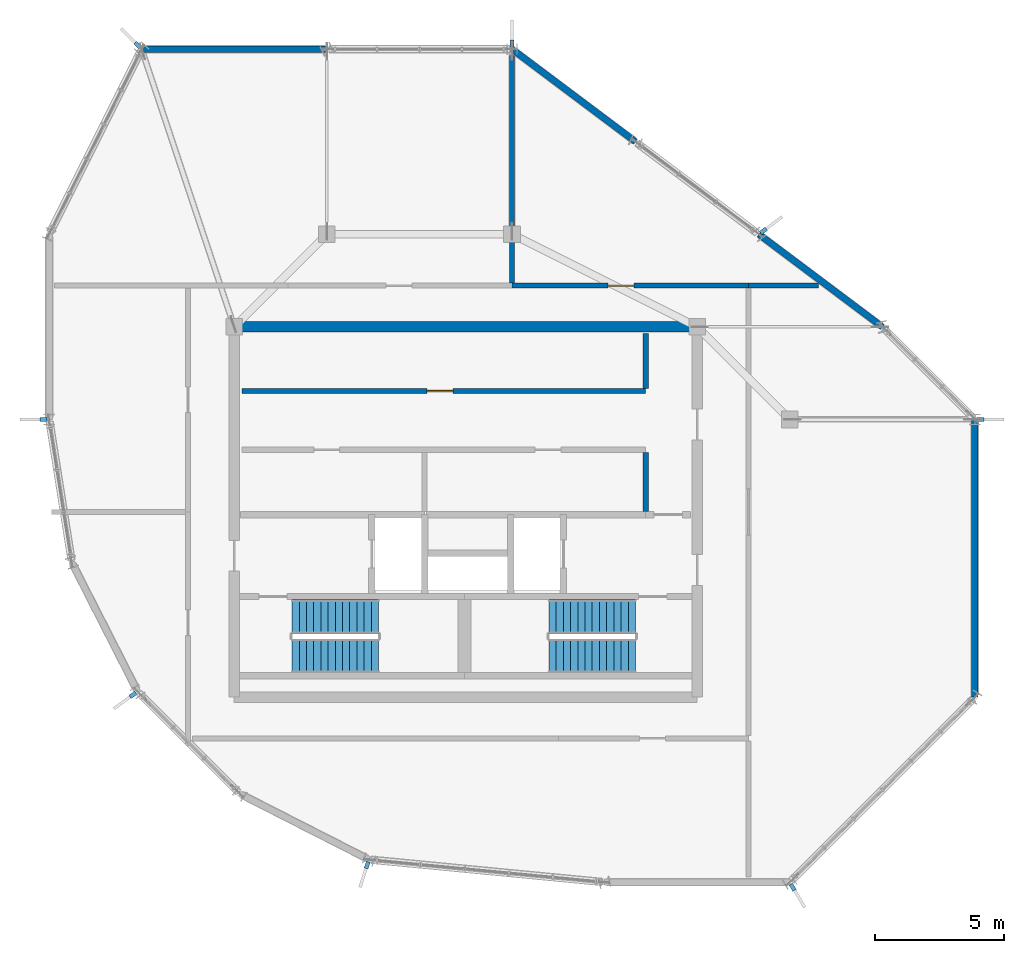
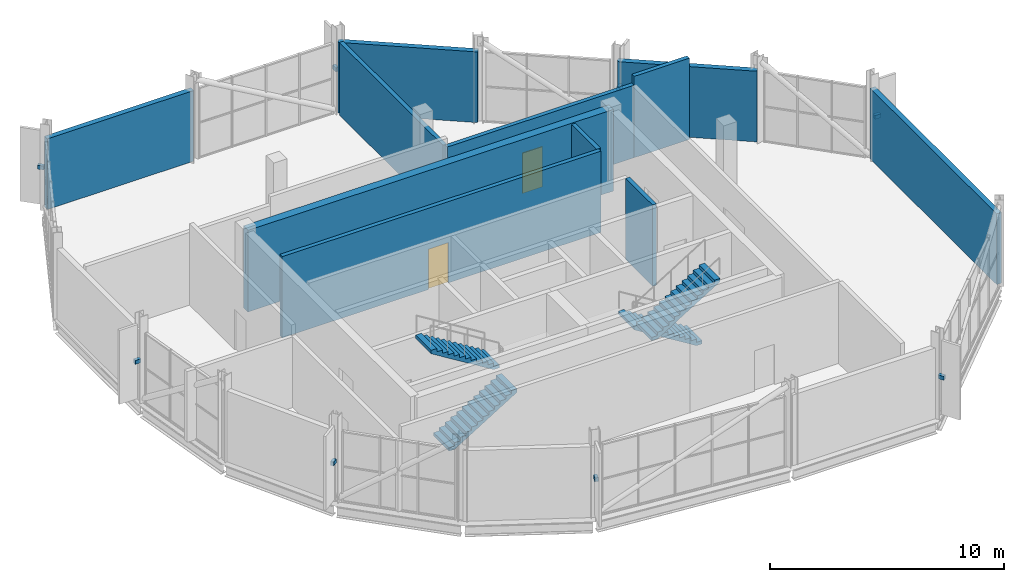
# One storey, part 20 of 22: 11 walls, 8 discrete accessories, 4 stair flights, 2 doors, 2 openings, 2 elements without a shape of their own.
"""IFC4 building model written with IfcOpenShell, lengths in metres."""

from ifc_helpers import new_model, si_unit, direction, frame, frame_2d, origin, origin_2d, place, context, subcontext, project, spatial, polyline, rectangle, outline, extrude, material, layer, layer_set, type_object, element, fill, aggregate, save


model = new_model("IFC4")

# Units and contexts
model_context = context("Model", 3, precision=1e-05, world=origin(), true_north=direction((0.0, 1.0)))
body_context = subcontext(model_context, "Body", "Model", "MODEL_VIEW")
ifc_project = project(units=[si_unit("LENGTHUNIT", "METRE"), si_unit("AREAUNIT", "SQUARE_METRE"), si_unit("VOLUMEUNIT", "CUBIC_METRE"), si_unit("PLANEANGLEUNIT", "RADIAN"), si_unit("MASSUNIT", "GRAM", prefix="KILO")], contexts=[model_context])

# Site, building, storey
site_placement = place(None, origin())
site = spatial("IfcSite", under=ifc_project, at=site_placement, CompositionType="ELEMENT")
building_placement = place(site_placement, origin())
building = spatial("IfcBuilding", under=site, at=building_placement, Name="Solnavia Interchange Tower", CompositionType="ELEMENT")
storey_placement = place(building_placement, frame((0.0, 0.0, 317.699951171875)))
storey = spatial("IfcBuildingStorey", under=building, at=storey_placement, Name="C04", CompositionType="ELEMENT", Elevation=317.699951171875)

# Walls
ifc_material_1 = material(Name="Concrete C40/50", Category="concrete")
ifc_layer_1 = layer(ifc_material_1, 0.25)
ifc_layer_set_1 = layer_set([ifc_layer_1], Name="Concrete C40/50")
wall_type_1 = type_object("IfcWallType", Name="Wall-ExtSpandrel-250", PredefinedType="STANDARD", material=ifc_layer_set_1)
for number, where, z_axis, x_axis, name in (
    (1, (39.60009765625, 25.199951171875, 0.0), (0.0, 0.0, 1.0), (-0.79999511724, 0.600006510291, 0.0), "EXW-C04-R02 Crown ring facade panel"),
    (2, (30.0, 32.39990234375, 0.0), (0.0, 0.0, 1.0), (-0.79999511724, 0.600006510291, 0.0), "EXW-C04-R04 Crown ring facade panel"),
):
    element("IfcWall", number, at=place(storey_placement, frame(where, z_axis=z_axis, x_axis=x_axis)), inside=storey, type_object=wall_type_1, Name=name, PredefinedType="STANDARD", context=body_context, shape_type="SweptSolid", body=[
        extrude(rectangle(XDim=6.0, YDim=0.25, at=frame_2d((3.0, 0.0))), origin(), (0.0, 0.0, 1.0), 3.679931640625),
    ])
wall_1_placement = place(storey_placement, frame((18.0, 36.0, 0.0), z_axis=(0.0, 0.0, 1.0), x_axis=(-1.0, 0.0, 0.0)))
element("IfcWall", 3, at=wall_1_placement, inside=storey, type_object=wall_type_1, Name="EXW-C04-R06 Crown ring facade panel", PredefinedType="STANDARD", context=body_context, shape_type="SweptSolid", body=[
    extrude(rectangle(XDim=7.199951171875, YDim=0.25, at=frame_2d((3.60009765625, 0.0))), origin(), (0.0, 0.0, 1.0), 3.679931640625),
])
wall_2_placement = place(storey_placement, frame((43.199951171875, 10.800048828125, 0.0), z_axis=(0.0, 0.0, 1.0), x_axis=(0.0, 1.0, 0.0)))
element("IfcWall", 4, at=wall_2_placement, inside=storey, type_object=wall_type_1, Name="EXW-C04-R16 Crown ring facade panel", PredefinedType="STANDARD", context=body_context, shape_type="SweptSolid", body=[
    extrude(rectangle(XDim=10.800048828125, YDim=0.25, at=frame_2d((5.39990234375, 0.0))), origin(), (0.0, 0.0, 1.0), 3.679931640625),
])
ifc_layer_2 = layer(ifc_material_1, 0.199951171875)
ifc_layer_set_2 = layer_set([ifc_layer_2], Name="Concrete C40/50")
wall_type_2 = type_object("IfcWallType", Name="Wall-PlantFire-200", PredefinedType="PARTITIONING", material=ifc_layer_set_2)
wall_3_placement = place(storey_placement, frame((30.39990234375, 18.02001953125, 0.0), z_axis=(0.0, 0.0, 1.0), x_axis=(0.0, 1.0, 0.0)))
element("IfcWall", 5, at=wall_3_placement, inside=storey, type_object=wall_type_2, Name="CSW-C04-CR2 Core shaft wall", PredefinedType="PARTITIONING", context=body_context, shape_type="SweptSolid", body=[
    extrude(rectangle(XDim=2.300048828125, YDim=0.199951171875, at=frame_2d((1.14990234375, 0.0))), origin(), (0.0, 0.0, 1.0), 4.235107421875),
])

# Wall, opening, door
wall_4_placement = place(storey_placement, frame((14.699951171875, 22.699951171875, 0.0), z_axis=(0.0, 0.0, 1.0), x_axis=(1.0, 0.0, 0.0)))
wall_4 = element("IfcWall", 6, at=wall_4_placement, inside=storey, type_object=wall_type_2, Name="CSW-C04-CR4 Core shaft wall", PredefinedType="PARTITIONING", context=body_context, shape_type="SweptSolid", body=[
    extrude(rectangle(XDim=15.699951171875, YDim=0.199951171875, at=frame_2d((7.85009765625, 0.0))), origin(), (0.0, 0.0, 1.0), 4.235107421875),
])
opening_1_placement = place(wall_4_placement, frame((7.199951171875, 0.0, 0.0)))
opening_1 = element("IfcOpeningElement", 7, at=opening_1_placement, cuts=wall_4, Name="Opening DR-04", PredefinedType="OPENING", context=body_context, shape_type="SweptSolid", body=[
    extrude(rectangle(XDim=1.0, YDim=2.10009765625, at=frame_2d((0.5, 1.050048828125))), frame((0.0, 0.10986328125, 0.0), z_axis=(0.0, -1.0, 0.0), x_axis=(1.0, 0.0, 0.0)), (0.0, 0.0, 1.0), 0.219970703125),
])
ifc_material_2 = material(Name="Steel Fire-Rated Plant Door", Category="steel")
door_type = type_object("IfcDoorType", Name="Door-PlantFire-1000x2100", OperationType="SINGLE_SWING_LEFT", PredefinedType="DOOR", material=ifc_material_2)
door_1_placement = place(opening_1_placement, origin())
door_1 = element("IfcDoor", 8, at=door_1_placement, inside=storey, type_object=door_type, Name="DR-C04-CR3 Core fire door", OperationType="SINGLE_SWING_LEFT", OverallHeight=2.10009765625, OverallWidth=1.0, PredefinedType="DOOR", context=body_context, shape_type="SweptSolid", body=[
    extrude(rectangle(XDim=1.0, YDim=2.10009765625, at=frame_2d((0.5, 1.050048828125))), frame((0.0, 0.02490234375, 0.0), z_axis=(0.0, -1.0, 0.0), x_axis=(1.0, 0.0, 0.0)), (0.0, 0.0, 1.0), 0.050048828125),
])
fill(opening_1, door_1)

# Wall
wall_5_placement = place(storey_placement, frame((30.39990234375, 22.800048828125, 0.0), z_axis=(0.0, 0.0, 1.0), x_axis=(0.0, 1.0, 0.0)))
element("IfcWall", 9, at=wall_5_placement, inside=storey, type_object=wall_type_2, Name="CSW-C04-CR5 Core shaft wall", PredefinedType="PARTITIONING", context=body_context, shape_type="SweptSolid", body=[
    extrude(rectangle(XDim=2.14990234375, YDim=0.199951171875, at=frame_2d((1.074951171875, 0.0))), origin(), (0.0, 0.0, 1.0), 4.235107421875),
])

# Wall, opening, door
wall_6_placement = place(storey_placement, frame((25.199951171875, 26.800048828125, 0.0), z_axis=(0.0, 0.0, 1.0), x_axis=(1.0, 0.0, 0.0)))
wall_6 = element("IfcWall", 10, at=wall_6_placement, inside=storey, type_object=wall_type_2, Name="PTW-C04-02 Interior partition wall", PredefinedType="PARTITIONING", context=body_context, shape_type="SweptSolid", body=[
    extrude(rectangle(XDim=9.199951171875, YDim=0.199951171875, at=frame_2d((4.60009765625, 0.0))), origin(), (0.0, 0.0, 1.0), 3.780029296875),
])
opening_2_placement = place(wall_6_placement, frame((3.739990234375, 0.0, 0.0)))
opening_2 = element("IfcOpeningElement", 11, at=opening_2_placement, cuts=wall_6, Name="Opening DR-04", PredefinedType="OPENING", context=body_context, shape_type="SweptSolid", body=[
    extrude(rectangle(XDim=1.0, YDim=2.10009765625, at=frame_2d((0.5, 1.050048828125))), frame((0.0, 0.10986328125, 0.0), z_axis=(0.0, -1.0, 0.0), x_axis=(1.0, 0.0, 0.0)), (0.0, 0.0, 1.0), 0.219970703125),
])
door_2_placement = place(opening_2_placement, origin())
door_2 = element("IfcDoor", 12, at=door_2_placement, inside=storey, type_object=door_type, Name="DR-C04-02 Interior room door", OperationType="SINGLE_SWING_RIGHT", OverallHeight=2.10009765625, OverallWidth=1.0, PredefinedType="DOOR", context=body_context, shape_type="SweptSolid", body=[
    extrude(rectangle(XDim=1.0, YDim=2.10009765625, at=frame_2d((0.5, 1.050048828125))), frame((0.0, 0.02490234375, 0.0), z_axis=(0.0, -1.0, 0.0), x_axis=(1.0, 0.0, 0.0)), (0.0, 0.0, 1.0), 0.050048828125),
])
fill(opening_2, door_2)

# Walls
wall_7_placement = place(storey_placement, frame((34.39990234375, 26.800048828125, 0.0), z_axis=(0.0, 0.0, 1.0), x_axis=(1.0, 0.0, 0.0)))
element("IfcWall", 13, at=wall_7_placement, inside=storey, type_object=wall_type_2, Name="PTW-C04-04 Interior partition wall", PredefinedType="PARTITIONING", context=body_context, shape_type="SweptSolid", body=[
    extrude(rectangle(XDim=2.72509765625, YDim=0.199951171875, at=frame_2d((1.362548828125, 0.0))), origin(), (0.0, 0.0, 1.0), 4.235107421875),
])
wall_8_placement = place(storey_placement, frame((25.199951171875, 26.904052734375, 0.0), z_axis=(0.0, 0.0, 1.0), x_axis=(0.0, 1.0, 0.0)))
element("IfcWall", 14, at=wall_8_placement, inside=storey, type_object=wall_type_2, Name="PTW-C04-05 Interior partition wall", PredefinedType="PARTITIONING", context=body_context, shape_type="SweptSolid", body=[
    extrude(rectangle(XDim=8.839599609375, YDim=0.199951171875, at=frame_2d((4.419921875, 0.0))), origin(), (0.0, 0.0, 1.0), 3.780029296875),
])
ifc_material_3 = material(Name="Concrete C50/60", Category="concrete")
ifc_layer_3 = layer(ifc_material_3, 0.39990234375)
ifc_layer_set_3 = layer_set([ifc_layer_3], Name="Concrete C50/60")
wall_type_3 = type_object("IfcWallType", Name="Wall-ShearCore-400", PredefinedType="SHEAR", material=ifc_layer_set_3)
wall_9_placement = place(storey_placement, frame((14.39990234375, 25.199951171875, 0.0), z_axis=(0.0, 0.0, 1.0), x_axis=(1.0, 0.0, 0.0)))
element("IfcWall", 15, at=wall_9_placement, inside=storey, type_object=wall_type_3, Name="CRW-C04-N Core shear wall", PredefinedType="SHEAR", context=body_context, shape_type="SweptSolid", body=[
    extrude(rectangle(XDim=18.0, YDim=0.39990234375, at=frame_2d((9.0, 0.0))), origin(), (0.0, 0.0, 1.0), 4.25),
])

# Stair, stair flights
stair_type = type_object("IfcStairType", Name="Stair-Dogleg-RC", PredefinedType="HALF_TURN_STAIR", material=ifc_material_1)
stair_1_placement = place(storey_placement, origin())
stair_1 = element("IfcStair", 16, at=stair_1_placement, inside=storey, type_object=stair_type, Name="C04 Core exit stair 1", PredefinedType="HALF_TURN_STAIR")
stair_flight_type = type_object("IfcStairFlightType", Name="StairFlight-RC-150", PredefinedType="STRAIGHT", material=ifc_material_1)
stair_flight_1_placement = place(storey_placement, frame((16.64990234375, 12.409912109375, 0.0), z_axis=(0.0, 0.0, 1.0), x_axis=(1.0, 0.0, 0.0)))
stair_flight_1 = element("IfcStairFlight", 17, at=stair_flight_1_placement, type_object=stair_flight_type, Name="ST-1 flight 1", NumberOfRisers=13, NumberOfTreads=12, PredefinedType="STRAIGHT", RiserHeight=0.173076923, TreadLength=0.28, context=body_context, shape_type="SweptSolid", body=[
    extrude(outline(polyline([(0.0, 0.0), (0.0, 0.173095703125), (0.280029296875, 0.173095703125), (0.280029296875, 0.34619140625), (0.56005859375, 0.34619140625), (0.56005859375, 0.519287109375), (0.840087890625, 0.519287109375), (0.840087890625, 0.6923828125), (1.1201171875, 0.6923828125), (1.1201171875, 0.865478515625), (1.39990234375, 0.865478515625), (1.39990234375, 1.03857421875), (1.679931640625, 1.03857421875), (1.679931640625, 1.21142578125), (1.9599609375, 1.21142578125), (1.9599609375, 1.384521484375), (2.239990234375, 1.384521484375), (2.239990234375, 1.5576171875), (2.52001953125, 1.5576171875), (2.52001953125, 1.730712890625), (2.800048828125, 1.730712890625), (2.800048828125, 1.90380859375), (3.080078125, 1.90380859375), (3.080078125, 2.076904296875), (3.360107421875, 2.076904296875), (3.360107421875, 2.25), (3.360107421875, 1.900634765625), (0.28515625, 0.0), (0.0, 0.0)])), frame((0.0, 0.66015625, 0.0), z_axis=(0.0, -1.0, 0.0), x_axis=(1.0, 0.0, 0.0)), (0.0, 0.0, 1.0), 1.320068359375),
])
stair_flight_2_placement = place(storey_placement, frame((20.010009765625, 13.929931640625, 2.25), z_axis=(0.0, 0.0, 1.0), x_axis=(-1.0, 0.0, 0.0)))
stair_flight_2 = element("IfcStairFlight", 18, at=stair_flight_2_placement, type_object=stair_flight_type, Name="ST-1 flight 2", NumberOfRisers=13, NumberOfTreads=12, PredefinedType="STRAIGHT", RiserHeight=0.173076923, TreadLength=0.28, context=body_context, shape_type="SweptSolid", body=[
    extrude(outline(polyline([(0.0, 0.0), (0.0, 0.173095703125), (0.280029296875, 0.173095703125), (0.280029296875, 0.34619140625), (0.56005859375, 0.34619140625), (0.56005859375, 0.519287109375), (0.840087890625, 0.519287109375), (0.840087890625, 0.6923828125), (1.1201171875, 0.6923828125), (1.1201171875, 0.865478515625), (1.39990234375, 0.865478515625), (1.39990234375, 1.03857421875), (1.679931640625, 1.03857421875), (1.679931640625, 1.21142578125), (1.9599609375, 1.21142578125), (1.9599609375, 1.384521484375), (2.239990234375, 1.384521484375), (2.239990234375, 1.5576171875), (2.52001953125, 1.5576171875), (2.52001953125, 1.730712890625), (2.800048828125, 1.730712890625), (2.800048828125, 1.90380859375), (3.080078125, 1.90380859375), (3.080078125, 2.076904296875), (3.360107421875, 2.076904296875), (3.360107421875, 2.25), (3.360107421875, 1.900634765625), (0.28515625, 0.0), (0.0, 0.0)])), frame((0.0, 0.66015625, 0.0), z_axis=(0.0, -1.0, 0.0), x_axis=(1.0, 0.0, 0.0)), (0.0, 0.0, 1.0), 1.320068359375),
])
aggregate(stair_1, [stair_flight_1, stair_flight_2])

stair_2_placement = place(storey_placement, origin())
stair_2 = element("IfcStair", 19, at=stair_2_placement, inside=storey, type_object=stair_type, Name="C04 Core exit stair 2", PredefinedType="HALF_TURN_STAIR")
stair_flight_3_placement = place(storey_placement, frame((30.0, 13.929931640625, 0.0), z_axis=(0.0, 0.0, 1.0), x_axis=(-1.0, 0.0, 0.0)))
stair_flight_3 = element("IfcStairFlight", 20, at=stair_flight_3_placement, type_object=stair_flight_type, Name="ST-2 flight 1", NumberOfRisers=13, NumberOfTreads=12, PredefinedType="STRAIGHT", RiserHeight=0.173076923, TreadLength=0.28, context=body_context, shape_type="SweptSolid", body=[
    extrude(outline(polyline([(0.0, 0.0), (0.0, 0.173095703125), (0.280029296875, 0.173095703125), (0.280029296875, 0.34619140625), (0.56005859375, 0.34619140625), (0.56005859375, 0.519287109375), (0.840087890625, 0.519287109375), (0.840087890625, 0.6923828125), (1.1201171875, 0.6923828125), (1.1201171875, 0.865478515625), (1.39990234375, 0.865478515625), (1.39990234375, 1.03857421875), (1.679931640625, 1.03857421875), (1.679931640625, 1.21142578125), (1.9599609375, 1.21142578125), (1.9599609375, 1.384521484375), (2.239990234375, 1.384521484375), (2.239990234375, 1.5576171875), (2.52001953125, 1.5576171875), (2.52001953125, 1.730712890625), (2.800048828125, 1.730712890625), (2.800048828125, 1.90380859375), (3.080078125, 1.90380859375), (3.080078125, 2.076904296875), (3.360107421875, 2.076904296875), (3.360107421875, 2.25), (3.360107421875, 1.900634765625), (0.28515625, 0.0), (0.0, 0.0)])), frame((0.0, 0.66015625, 0.0), z_axis=(0.0, -1.0, 0.0), x_axis=(1.0, 0.0, 0.0)), (0.0, 0.0, 1.0), 1.320068359375),
])
stair_flight_4_placement = place(storey_placement, frame((26.639892578125, 12.409912109375, 2.25), z_axis=(0.0, 0.0, 1.0), x_axis=(1.0, 0.0, 0.0)))
stair_flight_4 = element("IfcStairFlight", 21, at=stair_flight_4_placement, type_object=stair_flight_type, Name="ST-2 flight 2", NumberOfRisers=13, NumberOfTreads=12, PredefinedType="STRAIGHT", RiserHeight=0.173076923, TreadLength=0.28, context=body_context, shape_type="SweptSolid", body=[
    extrude(outline(polyline([(0.0, 0.0), (0.0, 0.173095703125), (0.280029296875, 0.173095703125), (0.280029296875, 0.34619140625), (0.56005859375, 0.34619140625), (0.56005859375, 0.519287109375), (0.840087890625, 0.519287109375), (0.840087890625, 0.6923828125), (1.1201171875, 0.6923828125), (1.1201171875, 0.865478515625), (1.39990234375, 0.865478515625), (1.39990234375, 1.03857421875), (1.679931640625, 1.03857421875), (1.679931640625, 1.21142578125), (1.9599609375, 1.21142578125), (1.9599609375, 1.384521484375), (2.239990234375, 1.384521484375), (2.239990234375, 1.5576171875), (2.52001953125, 1.5576171875), (2.52001953125, 1.730712890625), (2.800048828125, 1.730712890625), (2.800048828125, 1.90380859375), (3.080078125, 1.90380859375), (3.080078125, 2.076904296875), (3.360107421875, 2.076904296875), (3.360107421875, 2.25), (3.360107421875, 1.900634765625), (0.28515625, 0.0), (0.0, 0.0)])), frame((0.0, 0.66015625, 0.0), z_axis=(0.0, -1.0, 0.0), x_axis=(1.0, 0.0, 0.0)), (0.0, 0.0, 1.0), 1.320068359375),
])
aggregate(stair_2, [stair_flight_3, stair_flight_4])

# Discrete accessories
ifc_material_4 = material(Name="Stainless Steel 1.4401", Category="steel")
discrete_accessory_type = type_object("IfcDiscreteAccessoryType", Name="Bracket-Shade-220", PredefinedType="BRACKET", material=ifc_material_4)
for number, where, z_axis, x_axis, name in (
    (22, (43.419921875, 21.60009765625, 2.02490234375), (0.0, 0.0, 1.0), (1.0, 0.0, 0.0), "BRK-C04-F01 Crown fin mounting bracket"),
    (23, (34.97607421875, 28.931884765625, 2.02490234375), (0.0, 0.0, 1.0), (0.799998928149, 0.600001429133, 0.0), "BRK-C04-F03 Crown fin mounting bracket"),
    (24, (25.199951171875, 36.219970703125, 2.02490234375), (0.0, 0.0, 1.0), (0.0, 1.0, 0.0), "BRK-C04-F05 Crown fin mounting bracket"),
    (25, (10.644287109375, 36.155517578125, 2.02490234375), (0.0, 0.0, 1.0), (-0.707106781187, 0.707106781187, 0.0), "BRK-C04-F07 Crown fin mounting bracket"),
    (26, (6.97998046875, 21.60009765625, 2.02490234375), (0.0, 0.0, 1.0), (-1.0, 0.0, 0.0), "BRK-C04-F09 Crown fin mounting bracket"),
    (27, (10.4599609375, 10.890625, 2.02490234375), (0.0, 0.0, 1.0), (-0.809016994375, -0.587785252292, 0.0), "BRK-C04-F11 Crown fin mounting bracket"),
    (28, (19.570068359375, 4.271728515625, 2.02490234375), (0.0, 0.0, 1.0), (-0.309016994375, -0.951056516295, 0.0), "BRK-C04-F13 Crown fin mounting bracket"),
    (29, (36.11328125, 3.411376953125, 2.02490234375), (0.0, 0.0, 1.0), (0.514439533782, -0.857526656194, 0.0), "BRK-C04-F15 Crown fin mounting bracket"),
):
    element("IfcDiscreteAccessory", number, at=place(storey_placement, frame(where, z_axis=z_axis, x_axis=x_axis)), inside=storey, type_object=discrete_accessory_type, Name=name, PredefinedType="BRACKET", context=body_context, shape_type="SweptSolid", body=[
        extrude(rectangle(XDim=0.280029296875, YDim=0.159912109375, at=origin_2d()), origin(), (0.0, 0.0, 1.0), 0.199951171875),
    ])

save(model, "model.ifc")
